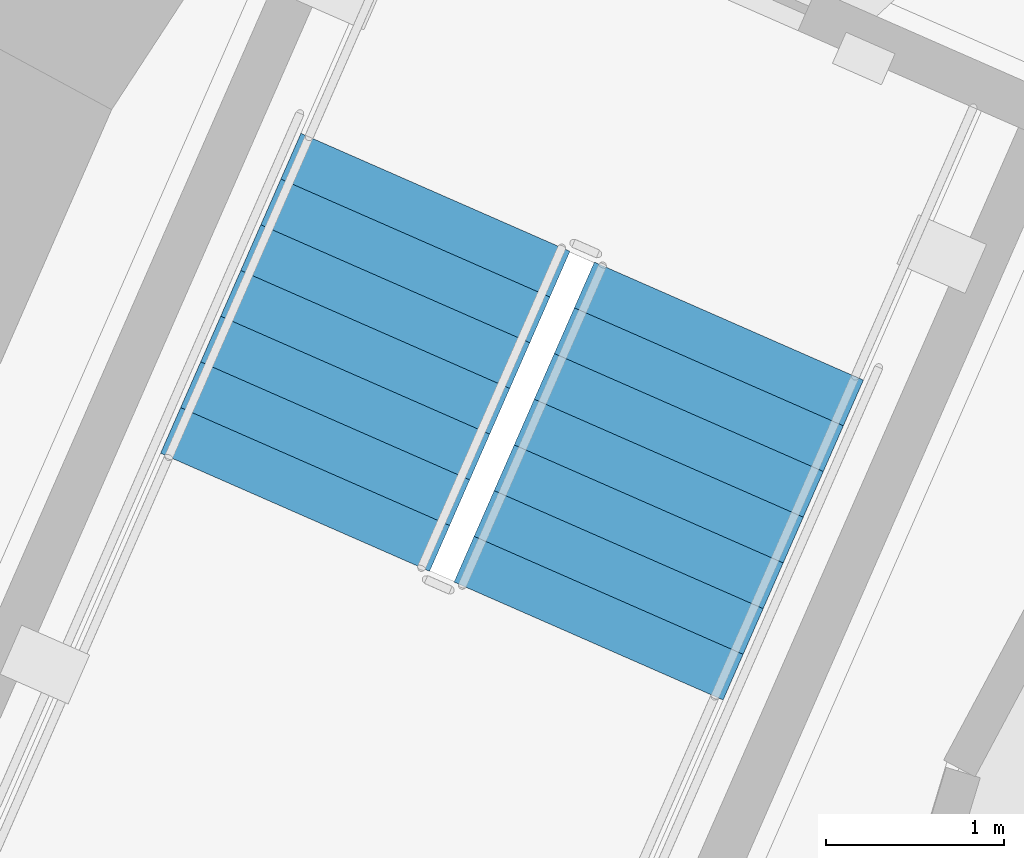
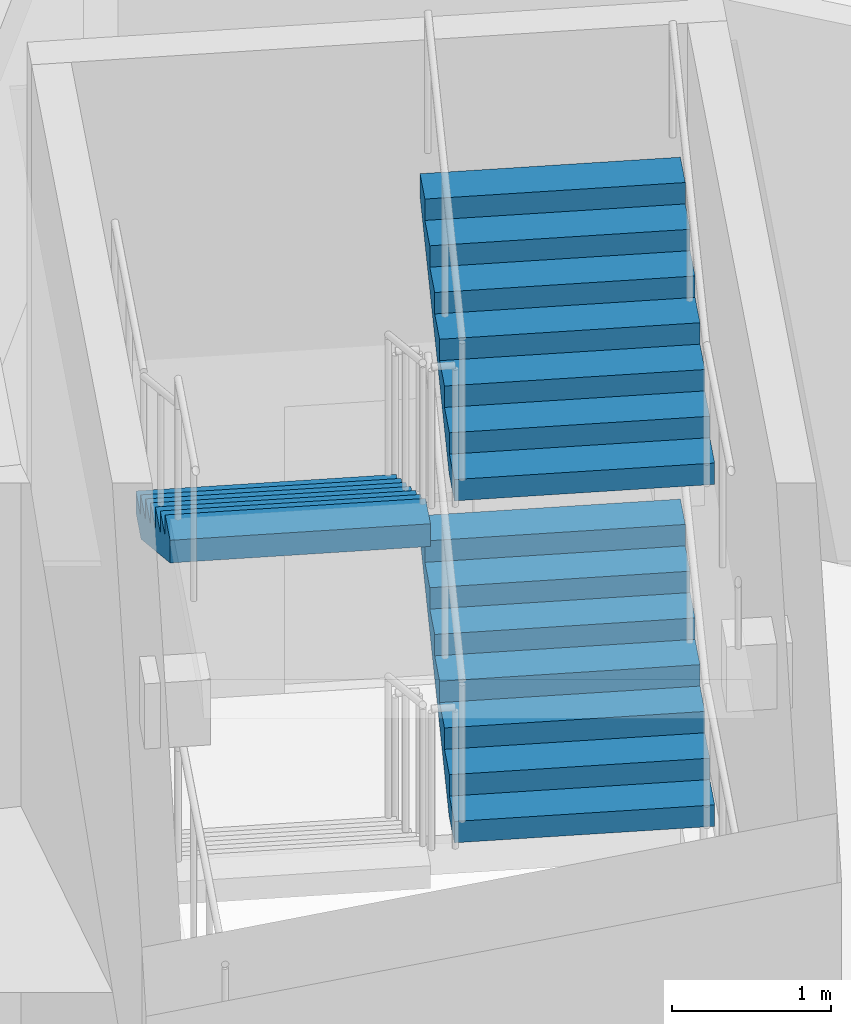
# One storey, part 80 of 125: 3 stair flights, 1 element without a shape of its own.
"""IFC4 building model written with IfcOpenShell, lengths in metres."""

from ifc_helpers import new_model, si_unit, direction, frame, origin, place, context, subcontext, project, spatial, polyline, outline, extrude, material, type_object, element, aggregate, save


model = new_model("IFC4")

# Units and contexts
model_context = context("Model", 3, precision=1e-05, world=origin(), true_north=direction((0.0, 1.0)))
body_context = subcontext(model_context, "Body", "Model", "MODEL_VIEW")
ifc_project = project(units=[si_unit("LENGTHUNIT", "METRE"), si_unit("AREAUNIT", "SQUARE_METRE"), si_unit("VOLUMEUNIT", "CUBIC_METRE"), si_unit("PLANEANGLEUNIT", "RADIAN"), si_unit("MASSUNIT", "GRAM", prefix="KILO")], contexts=[model_context])

# Site, building, storey
site_placement = place(None, origin())
site = spatial("IfcSite", under=ifc_project, at=site_placement, CompositionType="ELEMENT")
building_placement = place(site_placement, origin())
building = spatial("IfcBuilding", under=site, at=building_placement, Name="Sun Court Science Centre", CompositionType="ELEMENT")
storey_placement = place(building_placement, frame((0.0, 0.0, 6.0)))
storey = spatial("IfcBuildingStorey", under=building, at=storey_placement, Name="L01", CompositionType="ELEMENT", Elevation=6.0)

# Stair, stair flights
ifc_material_1 = material(Name="Concrete C25/30", Category="concrete")
stair_type = type_object("IfcStairType", Name="Stair 1500 drum half-turn", PredefinedType="HALF_TURN_STAIR", material=ifc_material_1)
stair_placement = place(storey_placement, origin())
stair = element("IfcStair", 1, at=stair_placement, inside=storey, type_object=stair_type, Name="L01 Stair PS2", PredefinedType="HALF_TURN_STAIR")
ifc_material_2 = material(Name="Concrete C25/30", Category="concrete")
stair_flight_type = type_object("IfcStairFlightType", Name="Stair flight 1500 with waist", PredefinedType="STRAIGHT", material=ifc_material_2)
stair_flight_1_placement = place(storey_placement, frame((40.9248046875, 100.71923828125, 1.3125), z_axis=(0.0, 0.0, 1.0), x_axis=(0.401695432224, 0.915773323334, 0.0)))
stair_flight_1 = element("IfcStairFlight", 2, at=stair_flight_1_placement, type_object=stair_flight_type, Name="PS2 flight 2", NumberOfRisers=8, NumberOfTreads=7, PredefinedType="STRAIGHT", RiserHeight=0.1640625, TreadLength=0.28, context=body_context, shape_type="SweptSolid", body=[
    extrude(outline(polyline([(0.0, 0.0), (0.0, 0.00244140625), (0.0, 0.0048828125), (0.0, 0.00732421875), (0.0, 0.009765625), (0.0, 0.01220703125), (0.0, 0.0146484375), (0.0, 0.01708984375), (0.0, 0.01953125), (0.0, 0.02197265625), (0.0, 0.0244140625), (0.0, 0.02685546875), (0.0, 0.029296875), (0.0, 0.03173828125), (0.0, 0.0341796875), (0.0, 0.03662109375), (0.0, 0.0390625), (0.0, 0.04150390625), (0.0, 0.0439453125), (0.0, 0.04638671875), (0.0, 0.048828125), (0.0, 0.05126953125), (0.0, 0.0537109375), (0.0, 0.05615234375), (0.0, 0.05859375), (0.0, 0.06103515625), (0.0, 0.0634765625), (0.0, 0.06591796875), (0.0, 0.068359375), (0.0, 0.07080078125), (0.0, 0.0732421875), (0.0, 0.07568359375), (0.0, 0.078125), (0.0, 0.08056640625), (0.0, 0.0830078125), (0.0, 0.08544921875), (0.0, 0.087890625), (0.0, 0.09033203125), (0.0, 0.0927734375), (0.0, 0.09521484375), (0.0, 0.09765625), (0.0, 0.10009765625), (0.0, 0.1025390625), (0.0, 0.10498046875), (0.0, 0.107421875), (0.0, 0.10986328125), (0.0, 0.1123046875), (0.0, 0.11474609375), (0.0, 0.1171875), (0.0, 0.11962890625), (0.0, 0.1220703125), (0.0, 0.12451171875), (0.0, 0.126953125), (0.0, 0.12939453125), (0.0, 0.1318359375), (0.0, 0.13427734375), (0.0, 0.13671875), (0.0, 0.13916015625), (0.0, 0.1416015625), (0.0, 0.14404296875), (0.0, 0.146484375), (0.0, 0.14892578125), (0.0, 0.1513671875), (0.0, 0.15380859375), (0.0, 0.15625), (0.0, 0.15869140625), (0.0, 0.1611328125), (0.0, 0.1640625), (0.280029296875, 0.1640625), (0.280029296875, 0.328125), (0.56005859375, 0.328125), (0.56005859375, 0.4921875), (0.840087890625, 0.4921875), (0.840087890625, 0.65625), (1.1201171875, 0.65625), (1.1201171875, 0.8203125), (1.39990234375, 0.8203125), (1.39990234375, 0.984375), (1.679931640625, 0.984375), (1.679931640625, 1.1484375), (1.9599609375, 1.1484375), (1.9599609375, 1.15087890625), (1.9599609375, 1.1533203125), (1.9599609375, 1.15576171875), (1.9599609375, 1.158203125), (1.9599609375, 1.16064453125), (1.9599609375, 1.1630859375), (1.9599609375, 1.16552734375), (1.9599609375, 1.16796875), (1.9599609375, 1.17041015625), (1.9599609375, 1.1728515625), (1.9599609375, 1.17529296875), (1.9599609375, 1.177734375), (1.9599609375, 1.18017578125), (1.9599609375, 1.1826171875), (1.9599609375, 1.18505859375), (1.9599609375, 1.1875), (1.9599609375, 1.18994140625), (1.9599609375, 1.1923828125), (1.9599609375, 1.19482421875), (1.9599609375, 1.197265625), (1.9599609375, 1.19970703125), (1.9599609375, 1.2021484375), (1.9599609375, 1.20458984375), (1.9599609375, 1.20703125), (1.9599609375, 1.20947265625), (1.9599609375, 1.2119140625), (1.9599609375, 1.21435546875), (1.9599609375, 1.216796875), (1.9599609375, 1.21923828125), (1.9599609375, 1.2216796875), (1.9599609375, 1.22412109375), (1.9599609375, 1.2265625), (1.9599609375, 1.22900390625), (1.9599609375, 1.2314453125), (1.9599609375, 1.23388671875), (1.9599609375, 1.236328125), (1.9599609375, 1.23876953125), (1.9599609375, 1.2412109375), (1.9599609375, 1.24365234375), (1.9599609375, 1.24609375), (1.9599609375, 1.24853515625), (1.9599609375, 1.2509765625), (1.9599609375, 1.25341796875), (1.9599609375, 1.255859375), (1.9599609375, 1.25830078125), (1.9599609375, 1.2607421875), (1.9599609375, 1.26318359375), (1.9599609375, 1.265625), (1.9599609375, 1.26806640625), (1.9599609375, 1.2705078125), (1.9599609375, 1.27294921875), (1.9599609375, 1.275390625), (1.9599609375, 1.27783203125), (1.9599609375, 1.2802734375), (1.9599609375, 1.28271484375), (1.9599609375, 1.28515625), (1.9599609375, 1.28759765625), (1.9599609375, 1.2900390625), (1.9599609375, 1.29248046875), (1.9599609375, 1.294921875), (1.9599609375, 1.29736328125), (1.9599609375, 1.2998046875), (1.9599609375, 1.30224609375), (1.9599609375, 1.3046875), (1.9599609375, 1.30712890625), (1.9599609375, 1.3095703125), (1.9599609375, 1.3125), (1.9599609375, 1.31005859375), (1.9599609375, 1.3076171875), (1.9599609375, 1.30517578125), (1.9599609375, 1.302734375), (1.9599609375, 1.30029296875), (1.9599609375, 1.2978515625), (1.9599609375, 1.29541015625), (1.9599609375, 1.29296875), (1.9599609375, 1.29052734375), (1.9599609375, 1.2880859375), (1.9599609375, 1.28564453125), (1.9599609375, 1.283203125), (1.9599609375, 1.28076171875), (1.9599609375, 1.2783203125), (1.9599609375, 1.27587890625), (1.9599609375, 1.2734375), (1.9599609375, 1.27099609375), (1.9599609375, 1.2685546875), (1.9599609375, 1.26611328125), (1.9599609375, 1.263671875), (1.9599609375, 1.26123046875), (1.9599609375, 1.2587890625), (1.9599609375, 1.25634765625), (1.9599609375, 1.25390625), (1.9599609375, 1.25146484375), (1.9599609375, 1.2490234375), (1.9599609375, 1.24658203125), (1.9599609375, 1.244140625), (1.9599609375, 1.24169921875), (1.9599609375, 1.2392578125), (1.9599609375, 1.23681640625), (1.9599609375, 1.234375), (1.9599609375, 1.23193359375), (1.9599609375, 1.2294921875), (1.9599609375, 1.22705078125), (1.9599609375, 1.224609375), (1.9599609375, 1.22216796875), (1.9599609375, 1.2197265625), (1.9599609375, 1.21728515625), (1.9599609375, 1.21484375), (1.9599609375, 1.21240234375), (1.9599609375, 1.2099609375), (1.9599609375, 1.20751953125), (1.9599609375, 1.205078125), (1.9599609375, 1.20263671875), (1.9599609375, 1.2001953125), (1.9599609375, 1.19775390625), (1.9599609375, 1.1953125), (1.9599609375, 1.19287109375), (1.9599609375, 1.1904296875), (1.9599609375, 1.18798828125), (1.9599609375, 1.185546875), (1.9599609375, 1.18310546875), (1.9599609375, 1.1806640625), (1.9599609375, 1.17822265625), (1.9599609375, 1.17578125), (1.9599609375, 1.17333984375), (1.9599609375, 1.1708984375), (1.9599609375, 1.16845703125), (1.9599609375, 1.166015625), (1.9599609375, 1.16357421875), (1.9599609375, 1.1611328125), (1.9599609375, 1.15869140625), (1.9599609375, 1.15625), (1.9599609375, 1.15380859375), (1.9599609375, 1.1513671875), (1.9599609375, 1.14892578125), (1.9599609375, 1.146484375), (1.9599609375, 1.14404296875), (1.9599609375, 1.1416015625), (1.9599609375, 1.13916015625), (1.9599609375, 1.13671875), (1.9599609375, 1.13427734375), (1.9599609375, 1.1318359375), (1.9599609375, 1.12939453125), (1.9599609375, 1.126953125), (1.9599609375, 1.12451171875), (1.9599609375, 1.1220703125), (1.9599609375, 1.11962890625), (1.9599609375, 1.1171875), (1.9599609375, 1.11474609375), (1.9599609375, 1.1123046875), (1.9599609375, 1.10986328125), (1.9599609375, 1.107421875), (1.9599609375, 1.10498046875), (1.9599609375, 1.1025390625), (1.9599609375, 1.10009765625), (1.9599609375, 1.09765625), (1.9599609375, 1.09521484375), (1.9599609375, 1.0927734375), (1.9599609375, 1.09033203125), (1.9599609375, 1.087890625), (1.9599609375, 1.08544921875), (1.9599609375, 1.0830078125), (1.9599609375, 1.08056640625), (1.9599609375, 1.078125), (1.9599609375, 1.07568359375), (1.9599609375, 1.0732421875), (1.9599609375, 1.07080078125), (1.9599609375, 1.068359375), (1.9599609375, 1.06591796875), (1.9599609375, 1.0634765625), (1.9599609375, 1.06103515625), (1.9599609375, 1.05859375), (1.9599609375, 1.05615234375), (1.9599609375, 1.0537109375), (1.9599609375, 1.05126953125), (1.9599609375, 1.048828125), (1.9599609375, 1.04638671875), (1.9599609375, 1.0439453125), (1.9599609375, 1.04150390625), (1.9599609375, 1.0390625), (1.9599609375, 1.03662109375), (1.9599609375, 1.0341796875), (1.9599609375, 1.03173828125), (1.9599609375, 1.029296875), (1.9599609375, 1.02685546875), (1.9599609375, 1.0244140625), (1.9599609375, 1.02197265625), (1.9599609375, 1.01953125), (1.9599609375, 1.01708984375), (1.9599609375, 1.0146484375), (1.9599609375, 1.01220703125), (1.9599609375, 1.009765625), (1.9599609375, 1.00732421875), (1.9599609375, 1.0048828125), (1.9599609375, 1.00244140625), (1.9599609375, 1.0), (1.9599609375, 0.99755859375), (1.9599609375, 0.9951171875), (1.9599609375, 0.99267578125), (1.9599609375, 0.990234375), (1.9599609375, 0.98779296875), (1.9599609375, 0.9853515625), (1.9599609375, 0.98291015625), (1.9599609375, 0.98046875), (1.9599609375, 0.97802734375), (1.9599609375, 0.974609375), (0.296630859375, 0.0), (0.0, 0.0)])), frame((0.0, 0.823974609375, 0.0), z_axis=(0.0, -1.0, 0.0), x_axis=(1.0, 0.0, 0.0)), (0.0, 0.0, 1.0), 1.64794921875),
])
stair_flight_2_placement = place(storey_placement, frame((40.0654296875, 103.236572265625, 2.625), z_axis=(0.0, 0.0, 1.0), x_axis=(-0.401695432224, -0.915773323334, 0.0)))
stair_flight_2 = element("IfcStairFlight", 3, at=stair_flight_2_placement, type_object=stair_flight_type, Name="PS2 flight 3", NumberOfRisers=8, NumberOfTreads=7, PredefinedType="STRAIGHT", RiserHeight=0.1640625, TreadLength=0.28, context=body_context, shape_type="SweptSolid", body=[
    extrude(outline(polyline([(0.0, 0.0), (0.0, 0.00244140625), (0.0, 0.0048828125), (0.0, 0.00732421875), (0.0, 0.009765625), (0.0, 0.01220703125), (0.0, 0.0146484375), (0.0, 0.01708984375), (0.0, 0.01953125), (0.0, 0.02197265625), (0.0, 0.0244140625), (0.0, 0.02685546875), (0.0, 0.029296875), (0.0, 0.03173828125), (0.0, 0.0341796875), (0.0, 0.03662109375), (0.0, 0.0390625), (0.0, 0.04150390625), (0.0, 0.0439453125), (0.0, 0.04638671875), (0.0, 0.048828125), (0.0, 0.05126953125), (0.0, 0.0537109375), (0.0, 0.05615234375), (0.0, 0.05859375), (0.0, 0.06103515625), (0.0, 0.0634765625), (0.0, 0.06591796875), (0.0, 0.068359375), (0.0, 0.07080078125), (0.0, 0.0732421875), (0.0, 0.07568359375), (0.0, 0.078125), (0.0, 0.08056640625), (0.0, 0.0830078125), (0.0, 0.08544921875), (0.0, 0.087890625), (0.0, 0.09033203125), (0.0, 0.0927734375), (0.0, 0.09521484375), (0.0, 0.09765625), (0.0, 0.10009765625), (0.0, 0.1025390625), (0.0, 0.10498046875), (0.0, 0.107421875), (0.0, 0.10986328125), (0.0, 0.1123046875), (0.0, 0.11474609375), (0.0, 0.1171875), (0.0, 0.11962890625), (0.0, 0.1220703125), (0.0, 0.12451171875), (0.0, 0.126953125), (0.0, 0.12939453125), (0.0, 0.1318359375), (0.0, 0.13427734375), (0.0, 0.13671875), (0.0, 0.13916015625), (0.0, 0.1416015625), (0.0, 0.14404296875), (0.0, 0.146484375), (0.0, 0.14892578125), (0.0, 0.1513671875), (0.0, 0.15380859375), (0.0, 0.15625), (0.0, 0.15869140625), (0.0, 0.1611328125), (0.0, 0.1640625), (0.280029296875, 0.1640625), (0.280029296875, 0.328125), (0.56005859375, 0.328125), (0.56005859375, 0.4921875), (0.840087890625, 0.4921875), (0.840087890625, 0.65625), (1.1201171875, 0.65625), (1.1201171875, 0.8203125), (1.39990234375, 0.8203125), (1.39990234375, 0.984375), (1.679931640625, 0.984375), (1.679931640625, 1.1484375), (1.9599609375, 1.1484375), (1.9599609375, 1.15087890625), (1.9599609375, 1.1533203125), (1.9599609375, 1.15576171875), (1.9599609375, 1.158203125), (1.9599609375, 1.16064453125), (1.9599609375, 1.1630859375), (1.9599609375, 1.16552734375), (1.9599609375, 1.16796875), (1.9599609375, 1.17041015625), (1.9599609375, 1.1728515625), (1.9599609375, 1.17529296875), (1.9599609375, 1.177734375), (1.9599609375, 1.18017578125), (1.9599609375, 1.1826171875), (1.9599609375, 1.18505859375), (1.9599609375, 1.1875), (1.9599609375, 1.18994140625), (1.9599609375, 1.1923828125), (1.9599609375, 1.19482421875), (1.9599609375, 1.197265625), (1.9599609375, 1.19970703125), (1.9599609375, 1.2021484375), (1.9599609375, 1.20458984375), (1.9599609375, 1.20703125), (1.9599609375, 1.20947265625), (1.9599609375, 1.2119140625), (1.9599609375, 1.21435546875), (1.9599609375, 1.216796875), (1.9599609375, 1.21923828125), (1.9599609375, 1.2216796875), (1.9599609375, 1.22412109375), (1.9599609375, 1.2265625), (1.9599609375, 1.22900390625), (1.9599609375, 1.2314453125), (1.9599609375, 1.23388671875), (1.9599609375, 1.236328125), (1.9599609375, 1.23876953125), (1.9599609375, 1.2412109375), (1.9599609375, 1.24365234375), (1.9599609375, 1.24609375), (1.9599609375, 1.24853515625), (1.9599609375, 1.2509765625), (1.9599609375, 1.25341796875), (1.9599609375, 1.255859375), (1.9599609375, 1.25830078125), (1.9599609375, 1.2607421875), (1.9599609375, 1.26318359375), (1.9599609375, 1.265625), (1.9599609375, 1.26806640625), (1.9599609375, 1.2705078125), (1.9599609375, 1.27294921875), (1.9599609375, 1.275390625), (1.9599609375, 1.27783203125), (1.9599609375, 1.2802734375), (1.9599609375, 1.28271484375), (1.9599609375, 1.28515625), (1.9599609375, 1.28759765625), (1.9599609375, 1.2900390625), (1.9599609375, 1.29248046875), (1.9599609375, 1.294921875), (1.9599609375, 1.29736328125), (1.9599609375, 1.2998046875), (1.9599609375, 1.30224609375), (1.9599609375, 1.3046875), (1.9599609375, 1.30712890625), (1.9599609375, 1.3095703125), (1.9599609375, 1.3125), (1.9599609375, 1.31005859375), (1.9599609375, 1.3076171875), (1.9599609375, 1.30517578125), (1.9599609375, 1.302734375), (1.9599609375, 1.30029296875), (1.9599609375, 1.2978515625), (1.9599609375, 1.29541015625), (1.9599609375, 1.29296875), (1.9599609375, 1.29052734375), (1.9599609375, 1.2880859375), (1.9599609375, 1.28564453125), (1.9599609375, 1.283203125), (1.9599609375, 1.28076171875), (1.9599609375, 1.2783203125), (1.9599609375, 1.27587890625), (1.9599609375, 1.2734375), (1.9599609375, 1.27099609375), (1.9599609375, 1.2685546875), (1.9599609375, 1.26611328125), (1.9599609375, 1.263671875), (1.9599609375, 1.26123046875), (1.9599609375, 1.2587890625), (1.9599609375, 1.25634765625), (1.9599609375, 1.25390625), (1.9599609375, 1.25146484375), (1.9599609375, 1.2490234375), (1.9599609375, 1.24658203125), (1.9599609375, 1.244140625), (1.9599609375, 1.24169921875), (1.9599609375, 1.2392578125), (1.9599609375, 1.23681640625), (1.9599609375, 1.234375), (1.9599609375, 1.23193359375), (1.9599609375, 1.2294921875), (1.9599609375, 1.22705078125), (1.9599609375, 1.224609375), (1.9599609375, 1.22216796875), (1.9599609375, 1.2197265625), (1.9599609375, 1.21728515625), (1.9599609375, 1.21484375), (1.9599609375, 1.21240234375), (1.9599609375, 1.2099609375), (1.9599609375, 1.20751953125), (1.9599609375, 1.205078125), (1.9599609375, 1.20263671875), (1.9599609375, 1.2001953125), (1.9599609375, 1.19775390625), (1.9599609375, 1.1953125), (1.9599609375, 1.19287109375), (1.9599609375, 1.1904296875), (1.9599609375, 1.18798828125), (1.9599609375, 1.185546875), (1.9599609375, 1.18310546875), (1.9599609375, 1.1806640625), (1.9599609375, 1.17822265625), (1.9599609375, 1.17578125), (1.9599609375, 1.17333984375), (1.9599609375, 1.1708984375), (1.9599609375, 1.16845703125), (1.9599609375, 1.166015625), (1.9599609375, 1.16357421875), (1.9599609375, 1.1611328125), (1.9599609375, 1.15869140625), (1.9599609375, 1.15625), (1.9599609375, 1.15380859375), (1.9599609375, 1.1513671875), (1.9599609375, 1.14892578125), (1.9599609375, 1.146484375), (1.9599609375, 1.14404296875), (1.9599609375, 1.1416015625), (1.9599609375, 1.13916015625), (1.9599609375, 1.13671875), (1.9599609375, 1.13427734375), (1.9599609375, 1.1318359375), (1.9599609375, 1.12939453125), (1.9599609375, 1.126953125), (1.9599609375, 1.12451171875), (1.9599609375, 1.1220703125), (1.9599609375, 1.11962890625), (1.9599609375, 1.1171875), (1.9599609375, 1.11474609375), (1.9599609375, 1.1123046875), (1.9599609375, 1.10986328125), (1.9599609375, 1.107421875), (1.9599609375, 1.10498046875), (1.9599609375, 1.1025390625), (1.9599609375, 1.10009765625), (1.9599609375, 1.09765625), (1.9599609375, 1.09521484375), (1.9599609375, 1.0927734375), (1.9599609375, 1.09033203125), (1.9599609375, 1.087890625), (1.9599609375, 1.08544921875), (1.9599609375, 1.0830078125), (1.9599609375, 1.08056640625), (1.9599609375, 1.078125), (1.9599609375, 1.07568359375), (1.9599609375, 1.0732421875), (1.9599609375, 1.07080078125), (1.9599609375, 1.068359375), (1.9599609375, 1.06591796875), (1.9599609375, 1.0634765625), (1.9599609375, 1.06103515625), (1.9599609375, 1.05859375), (1.9599609375, 1.05615234375), (1.9599609375, 1.0537109375), (1.9599609375, 1.05126953125), (1.9599609375, 1.048828125), (1.9599609375, 1.04638671875), (1.9599609375, 1.0439453125), (1.9599609375, 1.04150390625), (1.9599609375, 1.0390625), (1.9599609375, 1.03662109375), (1.9599609375, 1.0341796875), (1.9599609375, 1.03173828125), (1.9599609375, 1.029296875), (1.9599609375, 1.02685546875), (1.9599609375, 1.0244140625), (1.9599609375, 1.02197265625), (1.9599609375, 1.01953125), (1.9599609375, 1.01708984375), (1.9599609375, 1.0146484375), (1.9599609375, 1.01220703125), (1.9599609375, 1.009765625), (1.9599609375, 1.00732421875), (1.9599609375, 1.0048828125), (1.9599609375, 1.00244140625), (1.9599609375, 1.0), (1.9599609375, 0.99755859375), (1.9599609375, 0.9951171875), (1.9599609375, 0.99267578125), (1.9599609375, 0.990234375), (1.9599609375, 0.98779296875), (1.9599609375, 0.9853515625), (1.9599609375, 0.98291015625), (1.9599609375, 0.98046875), (1.9599609375, 0.97802734375), (1.9599609375, 0.974609375), (0.296630859375, 0.0), (0.0, 0.0)])), frame((0.0, 0.823974609375, 0.0), z_axis=(0.0, -1.0, 0.0), x_axis=(1.0, 0.0, 0.0)), (0.0, 0.0, 1.0), 1.64794921875),
])
stair_flight_3_placement = place(storey_placement, frame((40.9248046875, 100.71923828125, 3.9375), z_axis=(0.0, 0.0, 1.0), x_axis=(0.401695432224, 0.915773323334, 0.0)))
stair_flight_3 = element("IfcStairFlight", 4, at=stair_flight_3_placement, type_object=stair_flight_type, Name="PS2 flight 4", NumberOfRisers=8, NumberOfTreads=7, PredefinedType="STRAIGHT", RiserHeight=0.1640625, TreadLength=0.28, context=body_context, shape_type="SweptSolid", body=[
    extrude(outline(polyline([(0.0, 0.0), (0.0, 0.00244140625), (0.0, 0.0048828125), (0.0, 0.00732421875), (0.0, 0.009765625), (0.0, 0.01220703125), (0.0, 0.0146484375), (0.0, 0.01708984375), (0.0, 0.01953125), (0.0, 0.02197265625), (0.0, 0.0244140625), (0.0, 0.02685546875), (0.0, 0.029296875), (0.0, 0.03173828125), (0.0, 0.0341796875), (0.0, 0.03662109375), (0.0, 0.0390625), (0.0, 0.04150390625), (0.0, 0.0439453125), (0.0, 0.04638671875), (0.0, 0.048828125), (0.0, 0.05126953125), (0.0, 0.0537109375), (0.0, 0.05615234375), (0.0, 0.05859375), (0.0, 0.06103515625), (0.0, 0.0634765625), (0.0, 0.06591796875), (0.0, 0.068359375), (0.0, 0.07080078125), (0.0, 0.0732421875), (0.0, 0.07568359375), (0.0, 0.078125), (0.0, 0.08056640625), (0.0, 0.0830078125), (0.0, 0.08544921875), (0.0, 0.087890625), (0.0, 0.09033203125), (0.0, 0.0927734375), (0.0, 0.09521484375), (0.0, 0.09765625), (0.0, 0.10009765625), (0.0, 0.1025390625), (0.0, 0.10498046875), (0.0, 0.107421875), (0.0, 0.10986328125), (0.0, 0.1123046875), (0.0, 0.11474609375), (0.0, 0.1171875), (0.0, 0.11962890625), (0.0, 0.1220703125), (0.0, 0.12451171875), (0.0, 0.126953125), (0.0, 0.12939453125), (0.0, 0.1318359375), (0.0, 0.13427734375), (0.0, 0.13671875), (0.0, 0.13916015625), (0.0, 0.1416015625), (0.0, 0.14404296875), (0.0, 0.146484375), (0.0, 0.14892578125), (0.0, 0.1513671875), (0.0, 0.15380859375), (0.0, 0.15625), (0.0, 0.15869140625), (0.0, 0.1611328125), (0.0, 0.1640625), (0.280029296875, 0.1640625), (0.280029296875, 0.328125), (0.56005859375, 0.328125), (0.56005859375, 0.4921875), (0.840087890625, 0.4921875), (0.840087890625, 0.65625), (1.1201171875, 0.65625), (1.1201171875, 0.8203125), (1.39990234375, 0.8203125), (1.39990234375, 0.984375), (1.679931640625, 0.984375), (1.679931640625, 1.1484375), (1.9599609375, 1.1484375), (1.9599609375, 1.15087890625), (1.9599609375, 1.1533203125), (1.9599609375, 1.15576171875), (1.9599609375, 1.158203125), (1.9599609375, 1.16064453125), (1.9599609375, 1.1630859375), (1.9599609375, 1.16552734375), (1.9599609375, 1.16796875), (1.9599609375, 1.17041015625), (1.9599609375, 1.1728515625), (1.9599609375, 1.17529296875), (1.9599609375, 1.177734375), (1.9599609375, 1.18017578125), (1.9599609375, 1.1826171875), (1.9599609375, 1.18505859375), (1.9599609375, 1.1875), (1.9599609375, 1.18994140625), (1.9599609375, 1.1923828125), (1.9599609375, 1.19482421875), (1.9599609375, 1.197265625), (1.9599609375, 1.19970703125), (1.9599609375, 1.2021484375), (1.9599609375, 1.20458984375), (1.9599609375, 1.20703125), (1.9599609375, 1.20947265625), (1.9599609375, 1.2119140625), (1.9599609375, 1.21435546875), (1.9599609375, 1.216796875), (1.9599609375, 1.21923828125), (1.9599609375, 1.2216796875), (1.9599609375, 1.22412109375), (1.9599609375, 1.2265625), (1.9599609375, 1.22900390625), (1.9599609375, 1.2314453125), (1.9599609375, 1.23388671875), (1.9599609375, 1.236328125), (1.9599609375, 1.23876953125), (1.9599609375, 1.2412109375), (1.9599609375, 1.24365234375), (1.9599609375, 1.24609375), (1.9599609375, 1.24853515625), (1.9599609375, 1.2509765625), (1.9599609375, 1.25341796875), (1.9599609375, 1.255859375), (1.9599609375, 1.25830078125), (1.9599609375, 1.2607421875), (1.9599609375, 1.26318359375), (1.9599609375, 1.265625), (1.9599609375, 1.26806640625), (1.9599609375, 1.2705078125), (1.9599609375, 1.27294921875), (1.9599609375, 1.275390625), (1.9599609375, 1.27783203125), (1.9599609375, 1.2802734375), (1.9599609375, 1.28271484375), (1.9599609375, 1.28515625), (1.9599609375, 1.28759765625), (1.9599609375, 1.2900390625), (1.9599609375, 1.29248046875), (1.9599609375, 1.294921875), (1.9599609375, 1.29736328125), (1.9599609375, 1.2998046875), (1.9599609375, 1.30224609375), (1.9599609375, 1.3046875), (1.9599609375, 1.30712890625), (1.9599609375, 1.3095703125), (1.9599609375, 1.3125), (1.9599609375, 1.31005859375), (1.9599609375, 1.3076171875), (1.9599609375, 1.30517578125), (1.9599609375, 1.302734375), (1.9599609375, 1.30029296875), (1.9599609375, 1.2978515625), (1.9599609375, 1.29541015625), (1.9599609375, 1.29296875), (1.9599609375, 1.29052734375), (1.9599609375, 1.2880859375), (1.9599609375, 1.28564453125), (1.9599609375, 1.283203125), (1.9599609375, 1.28076171875), (1.9599609375, 1.2783203125), (1.9599609375, 1.27587890625), (1.9599609375, 1.2734375), (1.9599609375, 1.27099609375), (1.9599609375, 1.2685546875), (1.9599609375, 1.26611328125), (1.9599609375, 1.263671875), (1.9599609375, 1.26123046875), (1.9599609375, 1.2587890625), (1.9599609375, 1.25634765625), (1.9599609375, 1.25390625), (1.9599609375, 1.25146484375), (1.9599609375, 1.2490234375), (1.9599609375, 1.24658203125), (1.9599609375, 1.244140625), (1.9599609375, 1.24169921875), (1.9599609375, 1.2392578125), (1.9599609375, 1.23681640625), (1.9599609375, 1.234375), (1.9599609375, 1.23193359375), (1.9599609375, 1.2294921875), (1.9599609375, 1.22705078125), (1.9599609375, 1.224609375), (1.9599609375, 1.22216796875), (1.9599609375, 1.2197265625), (1.9599609375, 1.21728515625), (1.9599609375, 1.21484375), (1.9599609375, 1.21240234375), (1.9599609375, 1.2099609375), (1.9599609375, 1.20751953125), (1.9599609375, 1.205078125), (1.9599609375, 1.20263671875), (1.9599609375, 1.2001953125), (1.9599609375, 1.19775390625), (1.9599609375, 1.1953125), (1.9599609375, 1.19287109375), (1.9599609375, 1.1904296875), (1.9599609375, 1.18798828125), (1.9599609375, 1.185546875), (1.9599609375, 1.18310546875), (1.9599609375, 1.1806640625), (1.9599609375, 1.17822265625), (1.9599609375, 1.17578125), (1.9599609375, 1.17333984375), (1.9599609375, 1.1708984375), (1.9599609375, 1.16845703125), (1.9599609375, 1.166015625), (1.9599609375, 1.16357421875), (1.9599609375, 1.1611328125), (1.9599609375, 1.15869140625), (1.9599609375, 1.15625), (1.9599609375, 1.15380859375), (1.9599609375, 1.1513671875), (1.9599609375, 1.14892578125), (1.9599609375, 1.146484375), (1.9599609375, 1.14404296875), (1.9599609375, 1.1416015625), (1.9599609375, 1.13916015625), (1.9599609375, 1.13671875), (1.9599609375, 1.13427734375), (1.9599609375, 1.1318359375), (1.9599609375, 1.12939453125), (1.9599609375, 1.126953125), (1.9599609375, 1.12451171875), (1.9599609375, 1.1220703125), (1.9599609375, 1.11962890625), (1.9599609375, 1.1171875), (1.9599609375, 1.11474609375), (1.9599609375, 1.1123046875), (1.9599609375, 1.10986328125), (1.9599609375, 1.107421875), (1.9599609375, 1.10498046875), (1.9599609375, 1.1025390625), (1.9599609375, 1.10009765625), (1.9599609375, 1.09765625), (1.9599609375, 1.09521484375), (1.9599609375, 1.0927734375), (1.9599609375, 1.09033203125), (1.9599609375, 1.087890625), (1.9599609375, 1.08544921875), (1.9599609375, 1.0830078125), (1.9599609375, 1.08056640625), (1.9599609375, 1.078125), (1.9599609375, 1.07568359375), (1.9599609375, 1.0732421875), (1.9599609375, 1.07080078125), (1.9599609375, 1.068359375), (1.9599609375, 1.06591796875), (1.9599609375, 1.0634765625), (1.9599609375, 1.06103515625), (1.9599609375, 1.05859375), (1.9599609375, 1.05615234375), (1.9599609375, 1.0537109375), (1.9599609375, 1.05126953125), (1.9599609375, 1.048828125), (1.9599609375, 1.04638671875), (1.9599609375, 1.0439453125), (1.9599609375, 1.04150390625), (1.9599609375, 1.0390625), (1.9599609375, 1.03662109375), (1.9599609375, 1.0341796875), (1.9599609375, 1.03173828125), (1.9599609375, 1.029296875), (1.9599609375, 1.02685546875), (1.9599609375, 1.0244140625), (1.9599609375, 1.02197265625), (1.9599609375, 1.01953125), (1.9599609375, 1.01708984375), (1.9599609375, 1.0146484375), (1.9599609375, 1.01220703125), (1.9599609375, 1.009765625), (1.9599609375, 1.00732421875), (1.9599609375, 1.0048828125), (1.9599609375, 1.00244140625), (1.9599609375, 1.0), (1.9599609375, 0.99755859375), (1.9599609375, 0.9951171875), (1.9599609375, 0.99267578125), (1.9599609375, 0.990234375), (1.9599609375, 0.98779296875), (1.9599609375, 0.9853515625), (1.9599609375, 0.98291015625), (1.9599609375, 0.98046875), (1.9599609375, 0.97802734375), (1.9599609375, 0.974609375), (0.296630859375, 0.0), (0.0, 0.0)])), frame((0.0, 0.823974609375, 0.0), z_axis=(0.0, -1.0, 0.0), x_axis=(1.0, 0.0, 0.0)), (0.0, 0.0, 1.0), 1.64794921875),
])
aggregate(stair, [stair_flight_1, stair_flight_2, stair_flight_3])

save(model, "model.ifc")
